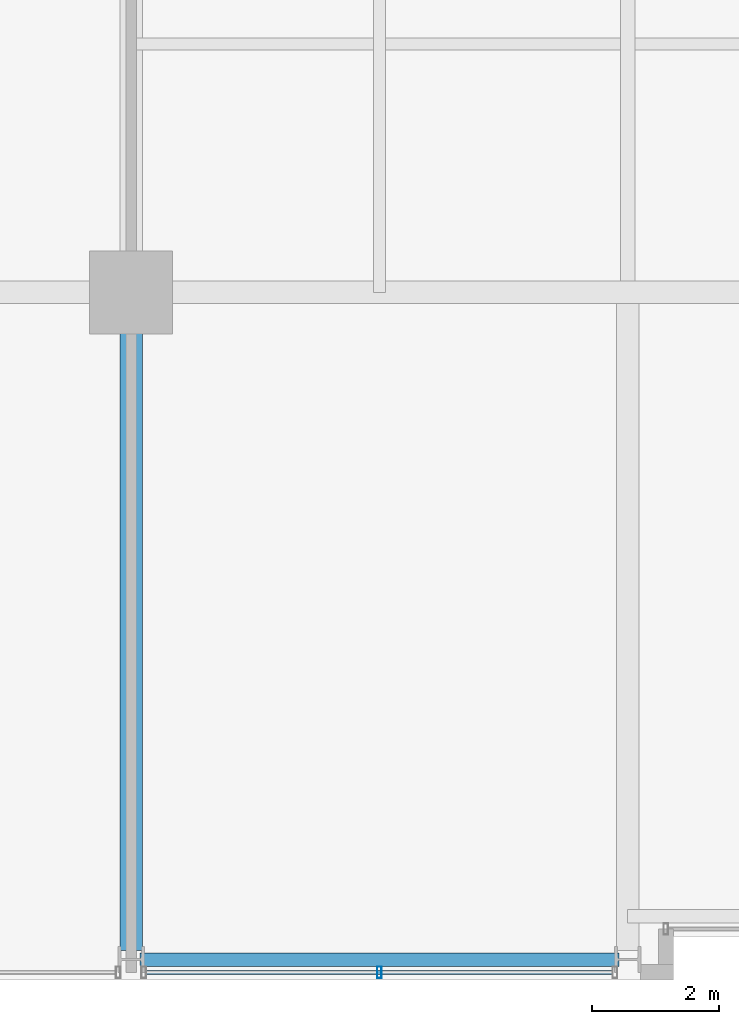
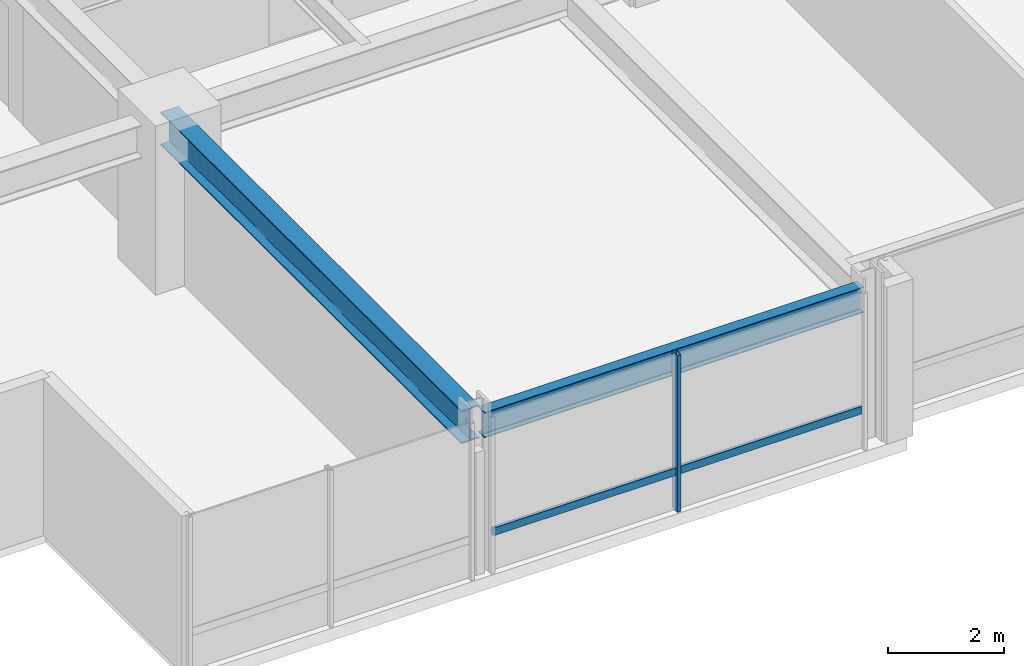
# One storey, part 3 of 33: 2 beams, 2 members, 1 element without a shape of its own.
"""IFC4 building model written with IfcOpenShell, lengths in metres."""

from ifc_helpers import new_model, si_unit, direction, frame, origin, origin_2d, place, context, subcontext, project, spatial, hollow_rectangle, i_section, extrude, material, layer, layer_set, material_profile, profile_set, type_object, element, aggregate, save


model = new_model("IFC4")

# Units and contexts
model_context = context("Model", 3, precision=1e-05, world=origin(), true_north=direction((0.0, 1.0)))
body_context = subcontext(model_context, "Body", "Model", "MODEL_VIEW")
ifc_project = project(units=[si_unit("LENGTHUNIT", "METRE"), si_unit("AREAUNIT", "SQUARE_METRE"), si_unit("VOLUMEUNIT", "CUBIC_METRE"), si_unit("PLANEANGLEUNIT", "RADIAN"), si_unit("MASSUNIT", "GRAM", prefix="KILO")], contexts=[model_context])

# Site, building, storey
site_placement = place(None, origin())
site = spatial("IfcSite", under=ifc_project, at=site_placement, CompositionType="ELEMENT")
building_placement = place(site_placement, origin())
building = spatial("IfcBuilding", under=site, at=building_placement, Name="Drelvath Grand Hotel", CompositionType="ELEMENT")
storey_placement = place(building_placement, frame((0.0, 0.0, 161.050048828125)))
storey = spatial("IfcBuildingStorey", under=building, at=storey_placement, Name="L41", CompositionType="ELEMENT", Elevation=161.050048828125)

# Curtain wall, members
ifc_material_1 = material(Name="Brushed Pale-Silver Anodised Aluminium Frame", Category="aluminium")
ifc_layer = layer(ifc_material_1, 0.199951171875)
ifc_layer_set = layer_set([ifc_layer], Name="Brushed Pale-Silver Anodised Aluminium Frame")
curtain_wall_type = type_object("IfcCurtainWallType", Name="Stick Curtain Wall CW-04 Brushed Silver Upper-Mid", PredefinedType="NOTDEFINED", material=ifc_layer_set)
curtain_wall_placement = place(storey_placement, origin())
curtain_wall = element("IfcCurtainWall", 1, at=curtain_wall_placement, inside=storey, type_object=curtain_wall_type, Name="L41 CW-04 Curtain Wall CW04-L41-SW2", PredefinedType="NOTDEFINED")
ifc_material_profile_1 = material_profile(ifc_material_1, hollow_rectangle(XDim=0.06494140625, YDim=0.159912109375, WallThickness=0.00390625, at=origin_2d()), Name="HSS160X65X4")
ifc_profile_set_1 = profile_set([ifc_material_profile_1], Name="Brushed Pale-Silver Anodised Aluminium Frame")
member_type_1 = type_object("IfcMemberType", Name="Curtain Wall Horizontal Transom CW-04 HSS160X65X4", PredefinedType="USERDEFINED", material=ifc_profile_set_1)
member_1_placement = place(storey_placement, frame((-8.64013671875, 0.1201171875, 0.822509765625), z_axis=(-1.0, 0.0, 0.0), x_axis=(0.0, -1.0, 0.0)))
member_1 = element("IfcMember", 2, at=member_1_placement, type_object=member_type_1, Name="CW04-L41-SW2 Sill Transom", ObjectType="TRANSOM", PredefinedType="USERDEFINED", context=body_context, shape_type="SweptSolid", body=[
    extrude(hollow_rectangle(XDim=0.06494140625, YDim=0.159912109375, WallThickness=0.00390625, at=origin_2d()), origin(), (0.0, 0.0, 1.0), 7.31982421875),
])
ifc_material_profile_2 = material_profile(ifc_material_1, hollow_rectangle(XDim=0.074951171875, YDim=0.179931640625, WallThickness=0.0048828125, at=origin_2d()), Name="HSS180X75X5")
ifc_profile_set_2 = profile_set([ifc_material_profile_2], Name="Brushed Pale-Silver Anodised Aluminium Frame")
member_type_2 = type_object("IfcMemberType", Name="Curtain Wall Vertical Mullion CW-04 HSS180X75X5", PredefinedType="MULLION", material=ifc_profile_set_2)
member_2_placement = place(storey_placement, frame((-12.300048828125, 0.1201171875, 0.0), z_axis=(0.0, 0.0, 1.0), x_axis=(1.0, 0.0, 0.0)))
member_2 = element("IfcMember", 3, at=member_2_placement, type_object=member_type_2, Name="CW04-L41-SW2 Mullion 2", PredefinedType="MULLION", context=body_context, shape_type="SweptSolid", body=[
    extrude(hollow_rectangle(XDim=0.074951171875, YDim=0.179931640625, WallThickness=0.0048828125, at=origin_2d()), origin(), (0.0, 0.0, 1.0), 3.2900390625),
])
aggregate(curtain_wall, [member_2, member_1])

# Beams
ifc_material_2 = material(Name="Steel ASTM A992 Gr 50", Category="steel")
ifc_material_profile_3 = material_profile(ifc_material_2, i_section(OverallWidth=0.210205078125, OverallDepth=0.53662109375, WebThickness=0.010986328125, FlangeThickness=0.017333984375, FilletRadius=0.01806640625, at=origin_2d()), Name="W21X68")
ifc_profile_set_3 = profile_set([ifc_material_profile_3], Name="Steel ASTM A992 Gr 50")
beam_type_1 = type_object("IfcBeamType", Name="Perimeter Spandrel Beam W21X68", PredefinedType="SPANDREL", material=ifc_profile_set_3)
beam_1_placement = place(storey_placement, frame((-16.06005859375, 0.320068359375, 3.021728515625), z_axis=(1.0, 0.0, 0.0), x_axis=(0.0, 1.0, 0.0)))
element("IfcBeam", 4, at=beam_1_placement, inside=storey, type_object=beam_type_1, Name="L41 Spandrel South W", PredefinedType="SPANDREL", context=body_context, shape_type="SweptSolid", body=[
    extrude(i_section(OverallWidth=0.210205078125, OverallDepth=0.53662109375, WebThickness=0.010986328125, FlangeThickness=0.017333984375, FilletRadius=0.01806640625, at=origin_2d()), origin(), (0.0, 0.0, 1.0), 7.52001953125),
])
ifc_material_profile_4 = material_profile(ifc_material_2, i_section(OverallWidth=0.354736328125, OverallDepth=0.695556640625, WebThickness=0.015380859375, FlangeThickness=0.025146484375, FilletRadius=0.02392578125, at=origin_2d()), Name="W27X146")
ifc_profile_set_4 = profile_set([ifc_material_profile_4], Name="Steel ASTM A992 Gr 50")
beam_type_2 = type_object("IfcBeamType", Name="Primary Floor Girder W27X146", PredefinedType="BEAM", material=ifc_profile_set_4)
beam_2_placement = place(storey_placement, frame((-16.199951171875, 0.4599609375, 2.942138671875), z_axis=(0.0, 1.0, 0.0), x_axis=(-1.0, 0.0, 0.0)))
element("IfcBeam", 5, at=beam_2_placement, inside=storey, type_object=beam_type_2, Name="L41 South Grid Girder 3", PredefinedType="BEAM", context=body_context, shape_type="SweptSolid", body=[
    extrude(i_section(OverallWidth=0.354736328125, OverallDepth=0.695556640625, WebThickness=0.015380859375, FlangeThickness=0.025146484375, FilletRadius=0.02392578125, at=origin_2d()), origin(), (0.0, 0.0, 1.0), 10.340087890625),
])

save(model, "model.ifc")
